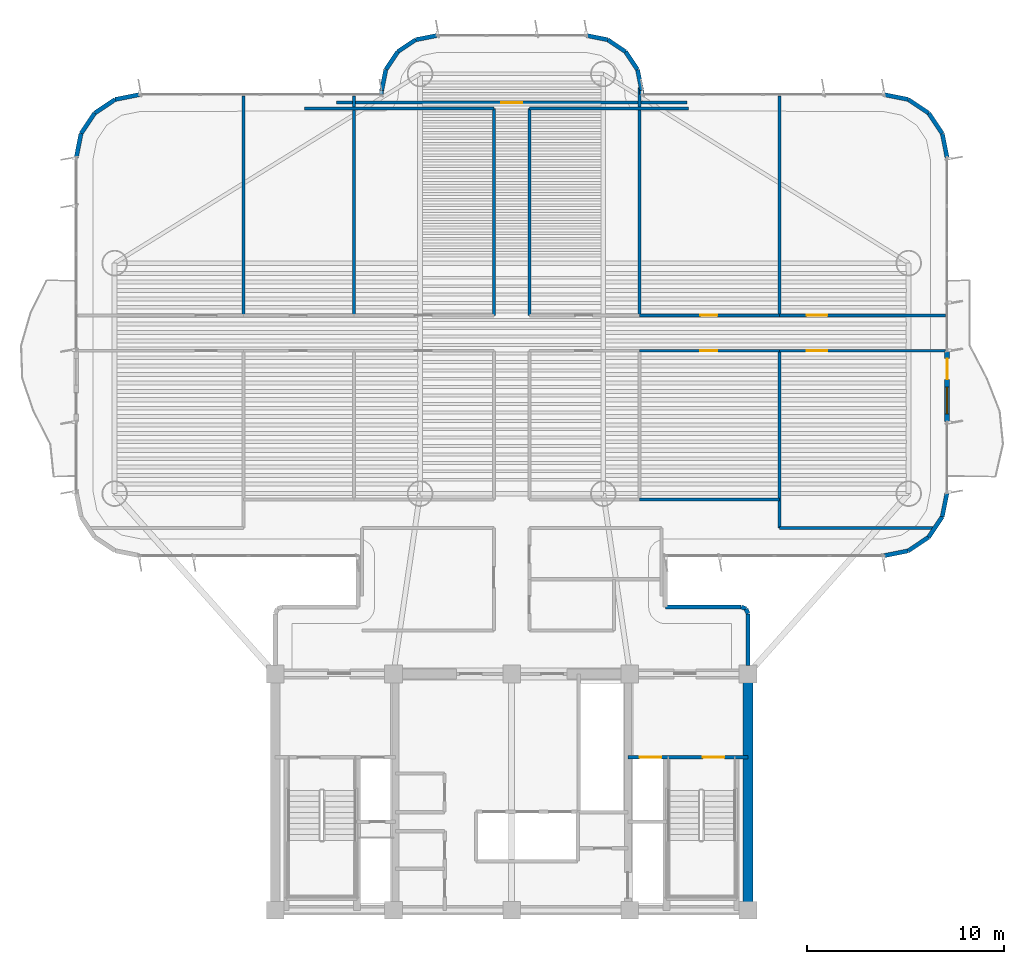
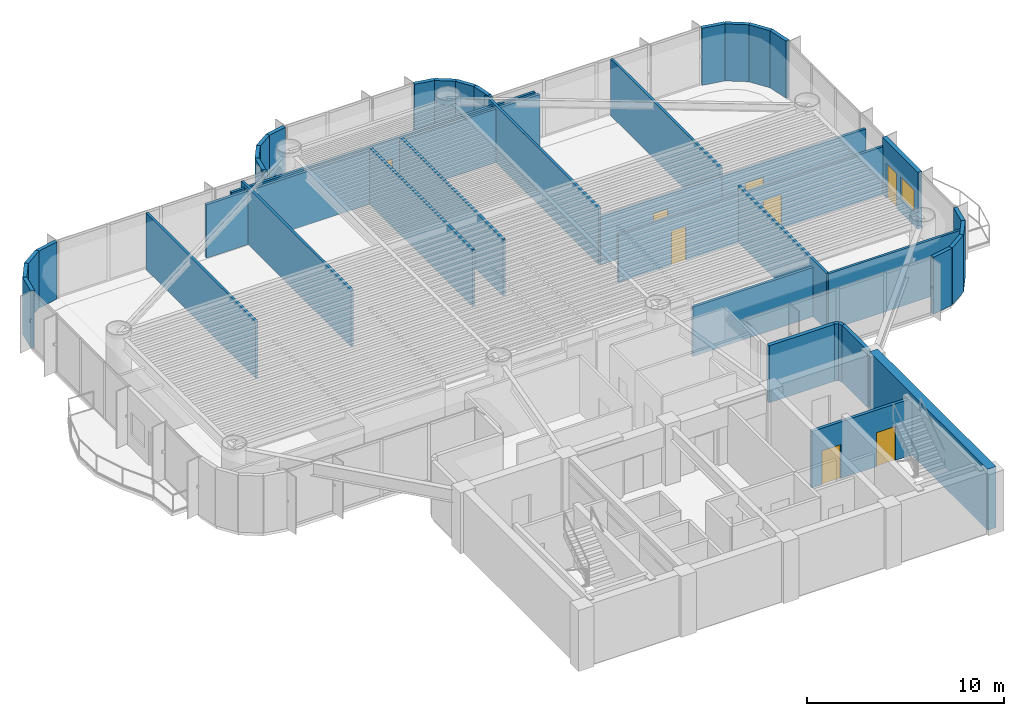
# One storey, part 11 of 16: 45 walls, 8 doors, 1 window, 9 openings.
"""IFC4 building model written with IfcOpenShell, lengths in metres."""

from ifc_helpers import new_model, si_unit, direction, frame, frame_2d, origin, origin_2d, place, context, subcontext, project, spatial, rectangle, extrude, source, transform, mapped, material, layer, layer_set, type_object, element, fill, save


model = new_model("IFC4")

# Units and contexts
model_context = context("Model", 3, precision=1e-05, world=origin(), true_north=direction((0.0, 1.0)))
body_context = subcontext(model_context, "Body", "Model", "MODEL_VIEW")
ifc_project = project(units=[si_unit("LENGTHUNIT", "METRE"), si_unit("AREAUNIT", "SQUARE_METRE"), si_unit("VOLUMEUNIT", "CUBIC_METRE"), si_unit("PLANEANGLEUNIT", "RADIAN"), si_unit("MASSUNIT", "GRAM", prefix="KILO")], contexts=[model_context])

# Site, building, storey
site_placement = place(None, origin())
site = spatial("IfcSite", under=ifc_project, at=site_placement, CompositionType="ELEMENT")
building_placement = place(site_placement, origin())
building = spatial("IfcBuilding", under=site, at=building_placement, Name="Brelvock Crest Care Tower", CompositionType="ELEMENT")
storey_placement = place(building_placement, frame((0.0, 0.0, 120.06005859375)))
storey = spatial("IfcBuildingStorey", under=building, at=storey_placement, Name="L30", CompositionType="ELEMENT", Elevation=120.06005859375)

# Wall
ifc_material_1 = material(Name="Concrete S80 (80 MPa)", Category="concrete")
ifc_layer_1 = layer(ifc_material_1, 0.5, Name="WL-CS2")
ifc_layer_set_1 = layer_set([ifc_layer_1], Name="Concrete S80 (80 MPa)")
wall_type_1 = type_object("IfcWallType", Name="WL-CS2", PredefinedType="SHEAR", material=ifc_layer_set_1)
wall_1_placement = place(storey_placement, frame((48.0, 18.0, 0.0), z_axis=(0.0, 0.0, 1.0), x_axis=(0.0, -1.0, 0.0)))
element("IfcWall", 1, at=wall_1_placement, inside=storey, type_object=wall_type_1, Name="L30 Core East Shear Wall", PredefinedType="SHEAR", context=body_context, shape_type="SweptSolid", body=[
    extrude(rectangle(XDim=12.0, YDim=0.5, at=frame_2d((6.0, 0.0))), origin(), (0.0, 0.0, 1.0), 3.780029296875),
])

# Wall, openings, door, window
ifc_material_2 = material(Name="Precast concrete N40 (40 MPa)", Category="concrete")
ifc_layer_2 = layer(ifc_material_2, 0.239990234375, Name="WL-EX1")
ifc_layer_set_2 = layer_set([ifc_layer_2], Name="Precast concrete N40 (40 MPa)")
wall_type_2 = type_object("IfcWallType", Name="WL-EX1", PredefinedType="SOLIDWALL", material=ifc_layer_set_2)
wall_2_placement = place(storey_placement, frame((58.10009765625, 34.39990234375, 0.0), z_axis=(0.0, 0.0, 1.0), x_axis=(0.0, -1.0, 0.0)))
wall_2 = element("IfcWall", 2, at=wall_2_placement, inside=storey, type_object=wall_type_2, Name="L30 Exterior Spandrel Wall WL-BAL-L30-E", PredefinedType="SOLIDWALL", context=body_context, shape_type="SweptSolid", body=[
    extrude(rectangle(XDim=3.599853515625, YDim=0.239990234375, at=frame_2d((1.7998046875, 0.0))), origin(), (0.0, 0.0, 1.0), 3.530029296875),
])
opening_1_placement = place(wall_2_placement, frame((0.39990234375, 0.0, 0.0)))
opening_1 = element("IfcOpeningElement", 3, at=opening_1_placement, cuts=wall_2, Name="Opening BD-1", PredefinedType="OPENING", context=body_context, shape_type="SweptSolid", body=[
    extrude(rectangle(XDim=1.050048828125, YDim=2.14990234375, at=origin_2d()), frame((0.52490234375, 0.1298828125, 1.074951171875), z_axis=(0.0, -1.0, 0.0), x_axis=(1.0, 0.0, 0.0)), (0.0, 0.0, 1.0), 0.260009765625),
])
opening_2_placement = place(wall_2_placement, frame((1.85009765625, 0.0, 0.85009765625)))
opening_2 = element("IfcOpeningElement", 4, at=opening_2_placement, cuts=wall_2, Name="Opening W-01", PredefinedType="OPENING", context=body_context, shape_type="SweptSolid", body=[
    extrude(rectangle(XDim=1.35009765625, YDim=1.35009765625, at=origin_2d()), frame((0.675048828125, 0.1298828125, 0.675048828125), z_axis=(0.0, -1.0, 0.0), x_axis=(1.0, 0.0, 0.0)), (0.0, 0.0, 1.0), 0.260009765625),
])
ifc_material_3 = material(Name="Dark Glass Double Glazed Low-E", Category="glass")
door_type_1 = type_object("IfcDoorType", Name="DR-BAL1", OperationType="NOTDEFINED", PredefinedType="DOOR", material=ifc_material_3)
shared_shape_1 = source(origin(), body_context, "Body", "SweptSolid", [
    extrude(rectangle(XDim=1.050048828125, YDim=2.14990234375, at=origin_2d()), frame((0.52490234375, 0.02490234375, 1.074951171875), z_axis=(0.0, -1.0, 0.0), x_axis=(1.0, 0.0, 0.0)), (0.0, 0.0, 1.0), 0.050048828125),
])
door_1_placement = place(opening_1_placement, origin())
door_1 = element("IfcDoor", 5, at=door_1_placement, inside=storey, type_object=door_type_1, Name="L30 E Wave Balcony Glazed Door", OperationType="SINGLE_SWING_RIGHT", OverallHeight=2.14990234375, OverallWidth=1.050048828125, PredefinedType="DOOR", context=body_context, shape_type="MappedRepresentation", body=[
    mapped(shared_shape_1, transform((0.0, 0.0, 0.0), x_axis=(1.0, 0.0, 0.0), y_axis=(0.0, 1.0, 0.0), z_axis=(0.0, 0.0, 1.0), scale=1.0)),
])
fill(opening_1, door_1)
window_type = type_object("IfcWindowType", Name="WN-EX1", PartitioningType="SINGLE_PANEL", PredefinedType="WINDOW", material=ifc_material_3)
shared_shape_2 = source(origin(), body_context, "Body", "SweptSolid", [
    extrude(rectangle(XDim=1.35009765625, YDim=1.35009765625, at=origin_2d()), frame((0.675048828125, 0.030029296875, 0.675048828125), z_axis=(0.0, -1.0, 0.0), x_axis=(1.0, 0.0, 0.0)), (0.0, 0.0, 1.0), 0.06005859375),
])
window_placement = place(opening_2_placement, origin())
window = element("IfcWindow", 6, at=window_placement, inside=storey, type_object=window_type, Name="L30 E Suite Casement Window", OverallHeight=1.35009765625, OverallWidth=1.35009765625, PartitioningType="SINGLE_PANEL", PredefinedType="WINDOW", context=body_context, shape_type="MappedRepresentation", body=[
    mapped(shared_shape_2, transform((0.0, 0.0, 0.0), x_axis=(1.0, 0.0, 0.0), y_axis=(0.0, 1.0, 0.0), z_axis=(0.0, 0.0, 1.0), scale=1.0)),
])
fill(opening_2, window)

# Walls
ifc_layer_3 = layer(ifc_material_2, 0.215087890625, Name="WL-EX2")
ifc_layer_set_3 = layer_set([ifc_layer_3], Name="Precast concrete N40 (40 MPa)")
wall_type_3 = type_object("IfcWallType", Name="WL-EX2", PredefinedType="SOLIDWALL", material=ifc_layer_set_3)
wall_3_placement = place(storey_placement, frame((47.8974609375, 21.297607421875, 0.0), z_axis=(0.0, 0.0, 1.0), x_axis=(0.382673670509, -0.923883575944, 0.0)))
element("IfcWall", 7, at=wall_3_placement, inside=storey, type_object=wall_type_3, Name="L30 Rounded Corner Wall 00", PredefinedType="SOLIDWALL", context=body_context, shape_type="SweptSolid", body=[
    extrude(rectangle(XDim=0.26806640625, YDim=0.215087890625, at=frame_2d((0.134033203125, 0.0))), origin(), (0.0, 0.0, 1.0), 3.530029296875),
])
wall_4_placement = place(storey_placement, frame((48.0, 21.050048828125, 0.0), z_axis=(0.0, 0.0, 1.0), x_axis=(0.0, -1.0, 0.0)))
element("IfcWall", 8, at=wall_4_placement, inside=storey, type_object=wall_type_3, Name="L30 Rounded Corner Wall 01", PredefinedType="SOLIDWALL", context=body_context, shape_type="SweptSolid", body=[
    extrude(rectangle(XDim=2.6201171875, YDim=0.215087890625, at=frame_2d((1.31005859375, 0.0))), origin(), (0.0, 0.0, 1.0), 3.530029296875),
])
for number, where, z_axis, x_axis, name in (
    (9, (13.89990234375, 44.199951171875, 0.0), (0.0, 0.0, 1.0), (0.195138390419, 0.980775717779, 0.0), "L30 Rounded Corner Wall 18"),
    (10, (14.1435546875, 45.424560546875, 0.0), (0.0, 0.0, 1.0), (0.555692485475, 0.831387912822, 0.0), "L30 Rounded Corner Wall 19"),
    (11, (14.83740234375, 46.462646484375, 0.0), (0.0, 0.0, 1.0), (0.831387912822, 0.555692485475, 0.0), "L30 Rounded Corner Wall 20"),
    (12, (15.87548828125, 47.156494140625, 0.0), (0.0, 0.0, 1.0), (0.980813122964, 0.194950295773, 0.0), "L30 Rounded Corner Wall 21"),
):
    element("IfcWall", number, at=place(storey_placement, frame(where, z_axis=z_axis, x_axis=x_axis)), inside=storey, type_object=wall_type_3, Name=name, PredefinedType="SOLIDWALL", context=body_context, shape_type="SweptSolid", body=[
        extrude(rectangle(XDim=1.24853515625, YDim=0.215087890625, at=frame_2d((0.624267578125, 0.0))), origin(), (0.0, 0.0, 1.0), 3.530029296875),
    ])
wall_5_placement = place(storey_placement, frame((29.39990234375, 47.39990234375, 0.0), z_axis=(0.0, 0.0, 1.0), x_axis=(0.0, 1.0, 0.0)))
element("IfcWall", 13, at=wall_5_placement, inside=storey, type_object=wall_type_3, Name="L30 Rounded Corner Wall 23", PredefinedType="SOLIDWALL", context=body_context, shape_type="SweptSolid", body=[
    extrude(rectangle(XDim=0.2001953125, YDim=0.215087890625, at=frame_2d((0.10009765625, 0.0))), origin(), (0.0, 0.0, 1.0), 3.530029296875),
])
wall_6_placement = place(storey_placement, frame((29.39990234375, 47.60009765625, 0.0), z_axis=(0.0, 0.0, 1.0), x_axis=(0.195127417394, 0.980777900945, 0.0)))
element("IfcWall", 14, at=wall_6_placement, inside=storey, type_object=wall_type_3, Name="L30 Rounded Corner Wall 24", PredefinedType="SOLIDWALL", context=body_context, shape_type="SweptSolid", body=[
    extrude(rectangle(XDim=1.09228515625, YDim=0.215087890625, at=frame_2d((0.546142578125, 0.0))), origin(), (0.0, 0.0, 1.0), 3.530029296875),
])
wall_7_placement = place(storey_placement, frame((29.613037109375, 48.67138671875, 0.0), z_axis=(0.0, 0.0, 1.0), x_axis=(0.555679482341, 0.831396603857, 0.0)))
element("IfcWall", 15, at=wall_7_placement, inside=storey, type_object=wall_type_3, Name="L30 Rounded Corner Wall 25", PredefinedType="SOLIDWALL", context=body_context, shape_type="SweptSolid", body=[
    extrude(rectangle(XDim=1.0927734375, YDim=0.215087890625, at=frame_2d((0.54638671875, 0.0))), origin(), (0.0, 0.0, 1.0), 3.530029296875),
])
for number, where, z_axis, x_axis, name in (
    (16, (30.22021484375, 49.579833984375, 0.0), (0.0, 0.0, 1.0), (0.831327592857, 0.555782721353, 0.0), "L30 Rounded Corner Wall 26"),
    (17, (31.12841796875, 50.18701171875, 0.0), (0.0, 0.0, 1.0), (0.980829143587, 0.194869677195, 0.0), "L30 Rounded Corner Wall 27"),
    (18, (39.800048828125, 50.39990234375, 0.0), (0.0, 0.0, 1.0), (0.980829143587, -0.194869677195, 0.0), "L30 Rounded Corner Wall 29"),
    (19, (40.87158203125, 50.18701171875, 0.0), (0.0, 0.0, 1.0), (0.831327592857, -0.555782721353, 0.0), "L30 Rounded Corner Wall 30"),
):
    element("IfcWall", number, at=place(storey_placement, frame(where, z_axis=z_axis, x_axis=x_axis)), inside=storey, type_object=wall_type_3, Name=name, PredefinedType="SOLIDWALL", context=body_context, shape_type="SweptSolid", body=[
        extrude(rectangle(XDim=1.092529296875, YDim=0.215087890625, at=frame_2d((0.54638671875, 0.0))), origin(), (0.0, 0.0, 1.0), 3.530029296875),
    ])
wall_8_placement = place(storey_placement, frame((41.77978515625, 49.579833984375, 0.0), z_axis=(0.0, 0.0, 1.0), x_axis=(0.555679482341, -0.831396603857, 0.0)))
element("IfcWall", 20, at=wall_8_placement, inside=storey, type_object=wall_type_3, Name="L30 Rounded Corner Wall 31", PredefinedType="SOLIDWALL", context=body_context, shape_type="SweptSolid", body=[
    extrude(rectangle(XDim=1.0927734375, YDim=0.215087890625, at=frame_2d((0.54638671875, 0.0))), origin(), (0.0, 0.0, 1.0), 3.530029296875),
])
wall_9_placement = place(storey_placement, frame((42.386962890625, 48.67138671875, 0.0), z_axis=(0.0, 0.0, 1.0), x_axis=(0.195127417394, -0.980777900945, 0.0)))
element("IfcWall", 21, at=wall_9_placement, inside=storey, type_object=wall_type_3, Name="L30 Rounded Corner Wall 32", PredefinedType="SOLIDWALL", context=body_context, shape_type="SweptSolid", body=[
    extrude(rectangle(XDim=1.09228515625, YDim=0.215087890625, at=frame_2d((0.546142578125, 0.0))), origin(), (0.0, 0.0, 1.0), 3.530029296875),
])
wall_10_placement = place(storey_placement, frame((42.60009765625, 47.60009765625, 0.0), z_axis=(0.0, 0.0, 1.0), x_axis=(0.0, -1.0, 0.0)))
element("IfcWall", 22, at=wall_10_placement, inside=storey, type_object=wall_type_3, Name="L30 Rounded Corner Wall 33", PredefinedType="SOLIDWALL", context=body_context, shape_type="SweptSolid", body=[
    extrude(rectangle(XDim=0.2001953125, YDim=0.215087890625, at=frame_2d((0.10009765625, 0.0))), origin(), (0.0, 0.0, 1.0), 3.530029296875),
])
for number, where, z_axis, x_axis, name in (
    (23, (54.89990234375, 47.39990234375, 0.0), (0.0, 0.0, 1.0), (0.980813122964, -0.194950295773, 0.0), "L30 Rounded Corner Wall 35"),
    (24, (56.12451171875, 47.156494140625, 0.0), (0.0, 0.0, 1.0), (0.831387912822, -0.555692485475, 0.0), "L30 Rounded Corner Wall 36"),
    (25, (57.16259765625, 46.462646484375, 0.0), (0.0, 0.0, 1.0), (0.555692485475, -0.831387912822, 0.0), "L30 Rounded Corner Wall 37"),
    (26, (57.8564453125, 45.424560546875, 0.0), (0.0, 0.0, 1.0), (0.195138390419, -0.980775717779, 0.0), "L30 Rounded Corner Wall 38"),
    (27, (58.10009765625, 27.199951171875, 0.0), (0.0, 0.0, 1.0), (-0.195138390419, -0.980775717779, 0.0), "L30 Rounded Corner Wall 40"),
    (28, (57.8564453125, 25.975341796875, 0.0), (0.0, 0.0, 1.0), (-0.555692485475, -0.831387912822, 0.0), "L30 Rounded Corner Wall 41"),
    (29, (57.16259765625, 24.937255859375, 0.0), (0.0, 0.0, 1.0), (-0.831478245117, -0.555557312883, 0.0), "L30 Rounded Corner Wall 42"),
    (30, (56.12451171875, 24.24365234375, 0.0), (0.0, 0.0, 1.0), (-0.980775717779, -0.195138390419, 0.0), "L30 Rounded Corner Wall 43"),
):
    element("IfcWall", number, at=place(storey_placement, frame(where, z_axis=z_axis, x_axis=x_axis)), inside=storey, type_object=wall_type_3, Name=name, PredefinedType="SOLIDWALL", context=body_context, shape_type="SweptSolid", body=[
        extrude(rectangle(XDim=1.24853515625, YDim=0.215087890625, at=frame_2d((0.624267578125, 0.0))), origin(), (0.0, 0.0, 1.0), 3.530029296875),
    ])
wall_11_placement = place(storey_placement, frame((43.800048828125, 21.39990234375, 0.0), z_axis=(0.0, 0.0, 1.0), x_axis=(1.0, 0.0, 0.0)))
element("IfcWall", 31, at=wall_11_placement, inside=storey, type_object=wall_type_3, Name="L30 Rounded Corner Wall 46", PredefinedType="SOLIDWALL", context=body_context, shape_type="SweptSolid", body=[
    extrude(rectangle(XDim=3.849853515625, YDim=0.215087890625, at=frame_2d((1.9248046875, 0.0))), origin(), (0.0, 0.0, 1.0), 3.530029296875),
])
wall_12_placement = place(storey_placement, frame((47.64990234375, 21.39990234375, 0.0), z_axis=(0.0, 0.0, 1.0), x_axis=(0.924205486139, -0.381895560841, 0.0)))
element("IfcWall", 32, at=wall_12_placement, inside=storey, type_object=wall_type_3, Name="L30 Rounded Corner Wall 47", PredefinedType="SOLIDWALL", context=body_context, shape_type="SweptSolid", body=[
    extrude(rectangle(XDim=0.267822265625, YDim=0.215087890625, at=frame_2d((0.1337890625, 0.0))), origin(), (0.0, 0.0, 1.0), 3.530029296875),
])
ifc_material_4 = material(Name="Masonry Blockwork Acoustic Partition", Category="masonry")
ifc_layer_4 = layer(ifc_material_4, 0.14990234375, Name="WL-INT1")
ifc_layer_set_4 = layer_set([ifc_layer_4], Name="Masonry Blockwork Acoustic Partition")
wall_type_4 = type_object("IfcWallType", Name="WL-INT1", PredefinedType="PARTITIONING", material=ifc_layer_set_4)
wall_13_placement = place(storey_placement, frame((49.60009765625, 25.39990234375, 0.0), z_axis=(0.0, 0.0, 1.0), x_axis=(1.0, 0.0, 0.0)))
element("IfcWall", 33, at=wall_13_placement, inside=storey, type_object=wall_type_4, Name="L30 Interior Wall WL-BX-L30-SE-S", PredefinedType="PARTITIONING", context=body_context, shape_type="SweptSolid", body=[
    extrude(rectangle(XDim=7.775634765625, YDim=0.14990234375, at=frame_2d((3.8876953125, 0.0))), origin(), (0.0, 0.0, 1.0), 3.5),
])
wall_14_placement = place(storey_placement, frame((42.488037109375, 26.85009765625, 0.0), z_axis=(0.0, 0.0, 1.0), x_axis=(1.0, 0.0, 0.0)))
element("IfcWall", 34, at=wall_14_placement, inside=storey, type_object=wall_type_4, Name="L30 Interior Wall WL-BX-L30-ISE2-S", PredefinedType="PARTITIONING", context=body_context, shape_type="SweptSolid", body=[
    extrude(rectangle(XDim=7.112060546875, YDim=0.14990234375, at=frame_2d((3.55615234375, 0.0))), origin(), (0.0, 0.0, 1.0), 3.054931640625),
])

# Wall, opening, door
wall_15_placement = place(storey_placement, frame((42.488037109375, 34.39990234375, 0.0), z_axis=(0.0, 0.0, 1.0), x_axis=(1.0, 0.0, 0.0)))
wall_15 = element("IfcWall", 35, at=wall_15_placement, inside=storey, type_object=wall_type_4, Name="L30 Interior Wall WL-RM-L30-ISE2", PredefinedType="PARTITIONING", context=body_context, shape_type="SweptSolid", body=[
    extrude(rectangle(XDim=7.112060546875, YDim=0.14990234375, at=frame_2d((3.55615234375, 0.0))), origin(), (0.0, 0.0, 1.0), 2.98193359375),
])
opening_3_placement = place(wall_15_placement, frame((3.095947265625, 0.0, 0.0)))
opening_3 = element("IfcOpeningElement", 36, at=opening_3_placement, cuts=wall_15, Name="Opening ID-1", PredefinedType="OPENING", context=body_context, shape_type="SweptSolid", body=[
    extrude(rectangle(XDim=0.860107421875, YDim=2.10009765625, at=origin_2d()), frame((0.43017578125, 0.0849609375, 1.050048828125), z_axis=(0.0, -1.0, 0.0), x_axis=(1.0, 0.0, 0.0)), (0.0, 0.0, 1.0), 0.169921875),
])
ifc_material_5 = material(Name="Engineered Hardwood Timber", Category="wood")
door_type_2 = type_object("IfcDoorType", Name="DR-INT1", OperationType="NOTDEFINED", PredefinedType="DOOR", material=ifc_material_5)
shared_shape_3 = source(origin(), body_context, "Body", "SweptSolid", [
    extrude(rectangle(XDim=0.860107421875, YDim=2.10009765625, at=origin_2d()), frame((0.43017578125, 0.02490234375, 1.050048828125), z_axis=(0.0, -1.0, 0.0), x_axis=(1.0, 0.0, 0.0)), (0.0, 0.0, 1.0), 0.050048828125),
])
door_2_placement = place(opening_3_placement, origin())
door_2 = element("IfcDoor", 37, at=door_2_placement, inside=storey, type_object=door_type_2, Name="L30 Senior Telehealth Study Door ISE2", OperationType="SINGLE_SWING_LEFT", OverallHeight=2.10009765625, OverallWidth=0.860107421875, PredefinedType="DOOR", context=body_context, shape_type="MappedRepresentation", body=[
    mapped(shared_shape_3, transform((0.0, 0.0, 0.0), x_axis=(1.0, 0.0, 0.0), y_axis=(0.0, 1.0, 0.0), z_axis=(0.0, 0.0, 1.0), scale=1.0)),
])
fill(opening_3, door_2)

wall_16_placement = place(storey_placement, frame((49.60009765625, 34.39990234375, 0.0), z_axis=(0.0, 0.0, 1.0), x_axis=(1.0, 0.0, 0.0)))
wall_16 = element("IfcWall", 38, at=wall_16_placement, inside=storey, type_object=wall_type_4, Name="L30 Interior Wall WL-RM-L30-SE", PredefinedType="PARTITIONING", context=body_context, shape_type="SweptSolid", body=[
    extrude(rectangle(XDim=8.419921875, YDim=0.14990234375, at=frame_2d((4.2099609375, 0.0))), origin(), (0.0, 0.0, 1.0), 2.98193359375),
])
opening_4_placement = place(wall_16_placement, frame((1.375, 0.0, 0.0)))
opening_4 = element("IfcOpeningElement", 39, at=opening_4_placement, cuts=wall_16, Name="Opening CLD-1", PredefinedType="OPENING", context=body_context, shape_type="SweptSolid", body=[
    extrude(rectangle(XDim=1.050048828125, YDim=2.10009765625, at=origin_2d()), frame((0.52490234375, 0.0849609375, 1.050048828125), z_axis=(0.0, -1.0, 0.0), x_axis=(1.0, 0.0, 0.0)), (0.0, 0.0, 1.0), 0.169921875),
])
door_type_3 = type_object("IfcDoorType", Name="DR-CLN1", OperationType="NOTDEFINED", PredefinedType="DOOR", material=ifc_material_5)
shared_shape_4 = source(origin(), body_context, "Body", "SweptSolid", [
    extrude(rectangle(XDim=1.050048828125, YDim=2.10009765625, at=origin_2d()), frame((0.52490234375, 0.02490234375, 1.050048828125), z_axis=(0.0, -1.0, 0.0), x_axis=(1.0, 0.0, 0.0)), (0.0, 0.0, 1.0), 0.050048828125),
])
door_3_placement = place(opening_4_placement, origin())
door_3 = element("IfcDoor", 40, at=door_3_placement, inside=storey, type_object=door_type_3, Name="L30 Senior Creative Art Workshop Door SE", OperationType="SINGLE_SWING_LEFT", OverallHeight=2.10009765625, OverallWidth=1.050048828125, PredefinedType="DOOR", context=body_context, shape_type="MappedRepresentation", body=[
    mapped(shared_shape_4, transform((0.0, 0.0, 0.0), x_axis=(1.0, 0.0, 0.0), y_axis=(0.0, 1.0, 0.0), z_axis=(0.0, 0.0, 1.0), scale=1.0)),
])
fill(opening_4, door_3)

wall_17_placement = place(storey_placement, frame((42.488037109375, 36.199951171875, 0.0), z_axis=(0.0, 0.0, 1.0), x_axis=(1.0, 0.0, 0.0)))
wall_17 = element("IfcWall", 41, at=wall_17_placement, inside=storey, type_object=wall_type_4, Name="L30 Interior Wall WL-RM-L30-INE2", PredefinedType="PARTITIONING", context=body_context, shape_type="SweptSolid", body=[
    extrude(rectangle(XDim=7.112060546875, YDim=0.14990234375, at=frame_2d((3.55615234375, 0.0))), origin(), (0.0, 0.0, 1.0), 2.98193359375),
])
opening_5_placement = place(wall_17_placement, frame((3.095947265625, 0.0, 0.0)))
opening_5 = element("IfcOpeningElement", 42, at=opening_5_placement, cuts=wall_17, Name="Opening ID-1", PredefinedType="OPENING", context=body_context, shape_type="SweptSolid", body=[
    extrude(rectangle(XDim=0.860107421875, YDim=2.10009765625, at=origin_2d()), frame((0.43017578125, 0.0849609375, 1.050048828125), z_axis=(0.0, -1.0, 0.0), x_axis=(1.0, 0.0, 0.0)), (0.0, 0.0, 1.0), 0.169921875),
])
door_4_placement = place(opening_5_placement, origin())
door_4 = element("IfcDoor", 43, at=door_4_placement, inside=storey, type_object=door_type_2, Name="L30 Senior Telehealth Study Door INE2", OperationType="SINGLE_SWING_LEFT", OverallHeight=2.10009765625, OverallWidth=0.860107421875, PredefinedType="DOOR", context=body_context, shape_type="MappedRepresentation", body=[
    mapped(shared_shape_3, transform((0.0, 0.0, 0.0), x_axis=(1.0, 0.0, 0.0), y_axis=(0.0, 1.0, 0.0), z_axis=(0.0, 0.0, 1.0), scale=1.0)),
])
fill(opening_5, door_4)

wall_18_placement = place(storey_placement, frame((49.60009765625, 36.199951171875, 0.0), z_axis=(0.0, 0.0, 1.0), x_axis=(1.0, 0.0, 0.0)))
wall_18 = element("IfcWall", 44, at=wall_18_placement, inside=storey, type_object=wall_type_4, Name="L30 Interior Wall WL-RM-L30-NE", PredefinedType="PARTITIONING", context=body_context, shape_type="SweptSolid", body=[
    extrude(rectangle(XDim=8.419921875, YDim=0.14990234375, at=frame_2d((4.2099609375, 0.0))), origin(), (0.0, 0.0, 1.0), 2.98193359375),
])
opening_6_placement = place(wall_18_placement, frame((1.375, 0.0, 0.0)))
opening_6 = element("IfcOpeningElement", 45, at=opening_6_placement, cuts=wall_18, Name="Opening CLD-1", PredefinedType="OPENING", context=body_context, shape_type="SweptSolid", body=[
    extrude(rectangle(XDim=1.050048828125, YDim=2.10009765625, at=origin_2d()), frame((0.52490234375, 0.0849609375, 1.050048828125), z_axis=(0.0, -1.0, 0.0), x_axis=(1.0, 0.0, 0.0)), (0.0, 0.0, 1.0), 0.169921875),
])
door_5_placement = place(opening_6_placement, origin())
door_5 = element("IfcDoor", 46, at=door_5_placement, inside=storey, type_object=door_type_3, Name="L30 Senior Creative Art Workshop Door NE", OperationType="SINGLE_SWING_LEFT", OverallHeight=2.10009765625, OverallWidth=1.050048828125, PredefinedType="DOOR", context=body_context, shape_type="MappedRepresentation", body=[
    mapped(shared_shape_4, transform((0.0, 0.0, 0.0), x_axis=(1.0, 0.0, 0.0), y_axis=(0.0, 1.0, 0.0), z_axis=(0.0, 0.0, 1.0), scale=1.0)),
])
fill(opening_6, door_5)

# Walls
wall_19_placement = place(storey_placement, frame((25.488037109375, 46.699951171875, 0.0), z_axis=(0.0, 0.0, 1.0), x_axis=(1.0, 0.0, 0.0)))
element("IfcWall", 47, at=wall_19_placement, inside=storey, type_object=wall_type_4, Name="L30 Interior Wall WL-BX-L30-INW2-N", PredefinedType="PARTITIONING", context=body_context, shape_type="SweptSolid", body=[
    extrude(rectangle(XDim=9.612060546875, YDim=0.14990234375, at=frame_2d((4.80615234375, 0.0))), origin(), (0.0, 0.0, 1.0), 3.307861328125),
])
wall_20_placement = place(storey_placement, frame((36.89990234375, 46.699951171875, 0.0), z_axis=(0.0, 0.0, 1.0), x_axis=(1.0, 0.0, 0.0)))
element("IfcWall", 48, at=wall_20_placement, inside=storey, type_object=wall_type_4, Name="L30 Interior Wall WL-BX-L30-INE1-N", PredefinedType="PARTITIONING", context=body_context, shape_type="SweptSolid", body=[
    extrude(rectangle(XDim=8.088134765625, YDim=0.14990234375, at=frame_2d((4.0439453125, 0.0))), origin(), (0.0, 0.0, 1.0), 3.307861328125),
])

# Wall, opening, door
wall_21_placement = place(storey_placement, frame((27.10009765625, 47.0, 0.0), z_axis=(0.0, 0.0, 1.0), x_axis=(1.0, 0.0, 0.0)))
wall_21 = element("IfcWall", 49, at=wall_21_placement, inside=storey, type_object=wall_type_4, Name="L30 Interior Wall WL-RM-L30-NHUB", PredefinedType="PARTITIONING", context=body_context, shape_type="SweptSolid", body=[
    extrude(rectangle(XDim=17.7998046875, YDim=0.14990234375, at=frame_2d((8.89990234375, 0.0))), origin(), (0.0, 0.0, 1.0), 3.307861328125),
])
opening_7_placement = place(wall_21_placement, frame((8.375, 0.0, 0.0)))
opening_7 = element("IfcOpeningElement", 50, at=opening_7_placement, cuts=wall_21, Name="Opening CLD-1", PredefinedType="OPENING", context=body_context, shape_type="SweptSolid", body=[
    extrude(rectangle(XDim=1.050048828125, YDim=2.10009765625, at=origin_2d()), frame((0.52490234375, 0.0849609375, 1.050048828125), z_axis=(0.0, -1.0, 0.0), x_axis=(1.0, 0.0, 0.0)), (0.0, 0.0, 1.0), 0.169921875),
])
door_6_placement = place(opening_7_placement, origin())
door_6 = element("IfcDoor", 51, at=door_6_placement, inside=storey, type_object=door_type_3, Name="L30 North Panorama Sunroom Door NHUB", OperationType="SINGLE_SWING_LEFT", OverallHeight=2.10009765625, OverallWidth=1.050048828125, PredefinedType="DOOR", context=body_context, shape_type="MappedRepresentation", body=[
    mapped(shared_shape_4, transform((0.0, 0.0, 0.0), x_axis=(1.0, 0.0, 0.0), y_axis=(0.0, 1.0, 0.0), z_axis=(0.0, 0.0, 1.0), scale=1.0)),
])
fill(opening_7, door_6)

# Walls
wall_22_placement = place(storey_placement, frame((22.39990234375, 36.199951171875, 0.0), z_axis=(0.0, 0.0, 1.0), x_axis=(0.0, 1.0, 0.0)))
element("IfcWall", 52, at=wall_22_placement, inside=storey, type_object=wall_type_4, Name="L30 Interior Wall WL-BX-L30-INW1-W", PredefinedType="PARTITIONING", context=body_context, shape_type="SweptSolid", body=[
    extrude(rectangle(XDim=11.120849609375, YDim=0.14990234375, at=frame_2d((5.560546875, 0.0))), origin(), (0.0, 0.0, 1.0), 3.5),
])
wall_23_placement = place(storey_placement, frame((27.988037109375, 36.199951171875, 0.0), z_axis=(0.0, 0.0, 1.0), x_axis=(0.0, 1.0, 0.0)))
element("IfcWall", 53, at=wall_23_placement, inside=storey, type_object=wall_type_4, Name="L30 Interior Wall WL-BX-L30-INW1-E", PredefinedType="PARTITIONING", context=body_context, shape_type="SweptSolid", body=[
    extrude(rectangle(XDim=11.121337890625, YDim=0.14990234375, at=frame_2d((5.560546875, 0.0))), origin(), (0.0, 0.0, 1.0), 3.5),
])
for number, where, z_axis, x_axis, name in (
    (54, (35.10009765625, 36.199951171875, 0.0), (0.0, 0.0, 1.0), (0.0, 1.0, 0.0), "L30 Interior Wall WL-BX-L30-INW2-E"),
    (55, (36.89990234375, 36.199951171875, 0.0), (0.0, 0.0, 1.0), (0.0, 1.0, 0.0), "L30 Interior Wall WL-BX-L30-INE1-W"),
):
    element("IfcWall", number, at=place(storey_placement, frame(where, z_axis=z_axis, x_axis=x_axis)), inside=storey, type_object=wall_type_4, Name=name, PredefinedType="PARTITIONING", context=body_context, shape_type="SweptSolid", body=[
        extrude(rectangle(XDim=10.5, YDim=0.14990234375, at=frame_2d((5.25, 0.0))), origin(), (0.0, 0.0, 1.0), 3.5),
    ])
wall_24_placement = place(storey_placement, frame((42.488037109375, 36.199951171875, 0.0), z_axis=(0.0, 0.0, 1.0), x_axis=(0.0, 1.0, 0.0)))
element("IfcWall", 56, at=wall_24_placement, inside=storey, type_object=wall_type_4, Name="L30 Interior Wall WL-BX-L30-INE1-E", PredefinedType="PARTITIONING", context=body_context, shape_type="SweptSolid", body=[
    extrude(rectangle(XDim=11.552978515625, YDim=0.14990234375, at=frame_2d((5.7763671875, 0.0))), origin(), (0.0, 0.0, 1.0), 3.5),
])
wall_25_placement = place(storey_placement, frame((49.60009765625, 25.39990234375, 0.0), z_axis=(0.0, 0.0, 1.0), x_axis=(0.0, 1.0, 0.0)))
element("IfcWall", 57, at=wall_25_placement, inside=storey, type_object=wall_type_4, Name="L30 Interior Wall WL-BX-L30-SE-W", PredefinedType="PARTITIONING", context=body_context, shape_type="SweptSolid", body=[
    extrude(rectangle(XDim=9.0, YDim=0.14990234375, at=frame_2d((4.5, 0.0))), origin(), (0.0, 0.0, 1.0), 3.5),
])
wall_26_placement = place(storey_placement, frame((49.60009765625, 36.199951171875, 0.0), z_axis=(0.0, 0.0, 1.0), x_axis=(0.0, 1.0, 0.0)))
element("IfcWall", 58, at=wall_26_placement, inside=storey, type_object=wall_type_4, Name="L30 Interior Wall WL-BX-L30-INE2-E", PredefinedType="PARTITIONING", context=body_context, shape_type="SweptSolid", body=[
    extrude(rectangle(XDim=11.120849609375, YDim=0.14990234375, at=frame_2d((5.560546875, 0.0))), origin(), (0.0, 0.0, 1.0), 3.5),
])

# Wall, openings, doors
ifc_layer_5 = layer(ifc_material_4, 0.179931640625, Name="WL-SHF1")
ifc_layer_set_5 = layer_set([ifc_layer_5], Name="Masonry Blockwork Acoustic Partition")
wall_type_5 = type_object("IfcWallType", Name="WL-SHF1", PredefinedType="PARTITIONING", material=ifc_layer_set_5)
wall_27_placement = place(storey_placement, frame((41.89990234375, 13.780029296875, 0.0), z_axis=(0.0, 0.0, 1.0), x_axis=(1.0, 0.0, 0.0)))
wall_27 = element("IfcWall", 59, at=wall_27_placement, inside=storey, type_object=wall_type_5, Name="L30 Interior Wall WL-ST2-N-L30", PredefinedType="PARTITIONING", context=body_context, shape_type="SweptSolid", body=[
    extrude(rectangle(XDim=6.10009765625, YDim=0.179931640625, at=frame_2d((3.050048828125, 0.0))), origin(), (0.0, 0.0, 1.0), 3.5),
])
opening_8_placement = place(wall_27_placement, frame((0.60009765625, 0.0, 0.0)))
opening_8 = element("IfcOpeningElement", 60, at=opening_8_placement, cuts=wall_27, Name="Opening LD", PredefinedType="OPENING", context=body_context, shape_type="SweptSolid", body=[
    extrude(rectangle(XDim=1.10009765625, YDim=2.10009765625, at=origin_2d()), frame((0.550048828125, 0.10009765625, 1.050048828125), z_axis=(0.0, -1.0, 0.0), x_axis=(1.0, 0.0, 0.0)), (0.0, 0.0, 1.0), 0.199951171875),
])
opening_9_placement = place(wall_27_placement, frame((3.800048828125, 0.0, 0.0)))
opening_9 = element("IfcOpeningElement", 61, at=opening_9_placement, cuts=wall_27, Name="Opening SD-1", PredefinedType="OPENING", context=body_context, shape_type="SweptSolid", body=[
    extrude(rectangle(XDim=1.10009765625, YDim=2.10009765625, at=origin_2d()), frame((0.550048828125, 0.10009765625, 1.050048828125), z_axis=(0.0, -1.0, 0.0), x_axis=(1.0, 0.0, 0.0)), (0.0, 0.0, 1.0), 0.199951171875),
])
ifc_material_6 = material(Name="Steel Grade 350", Category="steel")
door_type_4 = type_object("IfcDoorType", Name="DR-ST1", OperationType="NOTDEFINED", PredefinedType="DOOR", material=ifc_material_6)
shared_shape_5 = source(origin(), body_context, "Body", "SweptSolid", [
    extrude(rectangle(XDim=1.10009765625, YDim=2.10009765625, at=origin_2d()), frame((0.550048828125, 0.02490234375, 1.050048828125), z_axis=(0.0, -1.0, 0.0), x_axis=(1.0, 0.0, 0.0)), (0.0, 0.0, 1.0), 0.050048828125),
])
door_7_placement = place(opening_9_placement, origin())
door_7 = element("IfcDoor", 62, at=door_7_placement, inside=storey, type_object=door_type_4, Name="L30 Fire Stair ST-2 Door", OperationType="SINGLE_SWING_RIGHT", OverallHeight=2.10009765625, OverallWidth=1.10009765625, PredefinedType="DOOR", context=body_context, shape_type="MappedRepresentation", body=[
    mapped(shared_shape_5, transform((0.0, 0.0, 0.0), x_axis=(1.0, 0.0, 0.0), y_axis=(0.0, 1.0, 0.0), z_axis=(0.0, 0.0, 1.0), scale=1.0)),
])
fill(opening_9, door_7)
door_type_5 = type_object("IfcDoorType", Name="DR-LD1", OperationType="NOTDEFINED", PredefinedType="DOOR", material=ifc_material_6)
shared_shape_6 = source(origin(), body_context, "Body", "SweptSolid", [
    extrude(rectangle(XDim=1.10009765625, YDim=2.10009765625, at=origin_2d()), frame((0.550048828125, 0.02490234375, 1.050048828125), z_axis=(0.0, -1.0, 0.0), x_axis=(1.0, 0.0, 0.0)), (0.0, 0.0, 1.0), 0.050048828125),
])
door_8_placement = place(opening_8_placement, origin())
door_8 = element("IfcDoor", 63, at=door_8_placement, inside=storey, type_object=door_type_5, Name="L30 Firefighting Lift FFL-2 Landing Door", OperationType="SLIDING_TO_RIGHT", OverallHeight=2.10009765625, OverallWidth=1.10009765625, PredefinedType="DOOR", context=body_context, shape_type="MappedRepresentation", body=[
    mapped(shared_shape_6, transform((0.0, 0.0, 0.0), x_axis=(1.0, 0.0, 0.0), y_axis=(0.0, 1.0, 0.0), z_axis=(0.0, 0.0, 1.0), scale=1.0)),
])
fill(opening_8, door_8)

save(model, "model.ifc")
